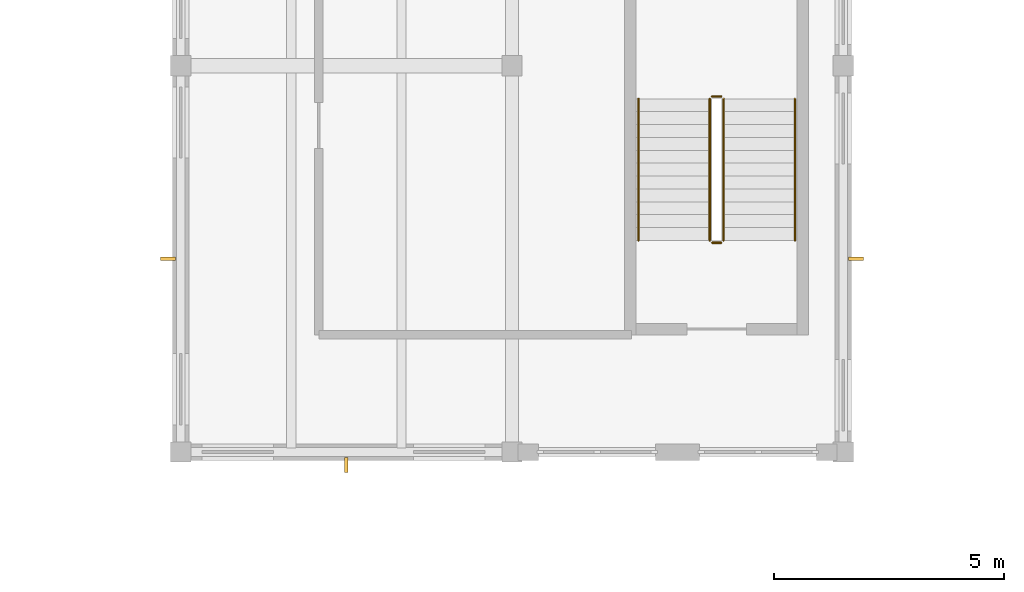
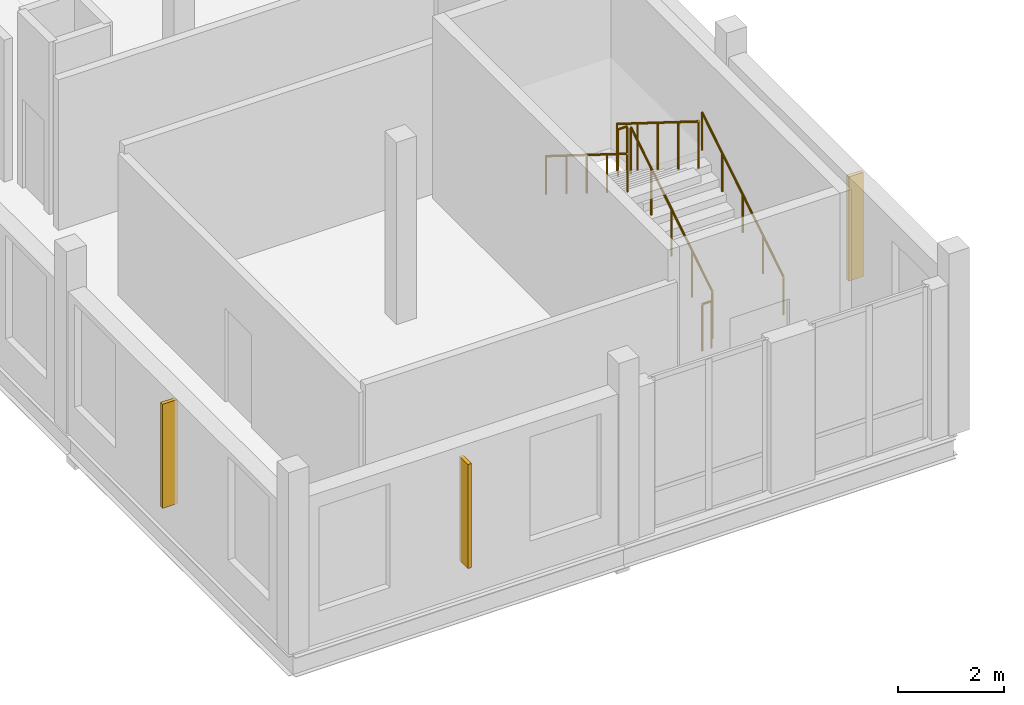
# One storey, part 78 of 81: 6 railings, 3 shading devices.
"""IFC4 building model written with IfcOpenShell, lengths in metres."""

from ifc_helpers import new_model, si_unit, direction, frame, origin, origin_2d, place, context, subcontext, project, spatial, rectangle, circle, extrude, material, type_object, element, save


model = new_model("IFC4")

# Units and contexts
model_context = context("Model", 3, precision=1e-05, world=origin(), true_north=direction((0.0, 1.0)))
body_context = subcontext(model_context, "Body", "Model", "MODEL_VIEW")
ifc_project = project(units=[si_unit("LENGTHUNIT", "METRE"), si_unit("AREAUNIT", "SQUARE_METRE"), si_unit("VOLUMEUNIT", "CUBIC_METRE"), si_unit("PLANEANGLEUNIT", "RADIAN"), si_unit("MASSUNIT", "GRAM", prefix="KILO")], contexts=[model_context])

# Site, building, storey
site_placement = place(None, origin())
site = spatial("IfcSite", under=ifc_project, at=site_placement, CompositionType="ELEMENT")
building_placement = place(site_placement, origin())
building = spatial("IfcBuilding", under=site, at=building_placement, Name="Kahlenmark Community Centre", CompositionType="ELEMENT")
storey_placement = place(building_placement, frame((0.0, 0.0, 9.60009765625)))
storey = spatial("IfcBuildingStorey", under=building, at=storey_placement, Name="L02", CompositionType="ELEMENT", Elevation=9.60009765625)

# Railings
ifc_material_1 = material(Name="Brushed stainless steel 1.4301 handrail", Category="steel")
railing_type_1 = type_object("IfcRailingType", Name="RLT-HR-900", PredefinedType="HANDRAIL", material=ifc_material_1)
railing_1_placement = place(storey_placement, frame((85.75, 55.39990234375, 0.1748046875)))
element("IfcRailing", 1, at=railing_1_placement, inside=storey, type_object=railing_type_1, Name="L02 ST-06 stair handrail 1", PredefinedType="HANDRAIL", context=body_context, shape_type="SweptSolid", body=[
    extrude(circle(Radius=0.02392578125, at=origin_2d()), frame((0.0, 0.0, 0.8759765625), z_axis=(0.0, 0.847998304005, 0.529998940003), x_axis=(-1.0, 0.0, 0.0)), (0.0, 0.0, 1.0), 3.632080078125),
    extrude(circle(Radius=0.02099609375, at=origin_2d()), origin(), (0.0, 0.0, 1.0), 0.851806640625),
    extrude(circle(Radius=0.02099609375, at=origin_2d()), frame((0.0, 0.77001953125, 0.481201171875)), (0.0, 0.0, 1.0), 0.851806640625),
    extrude(circle(Radius=0.02099609375, at=origin_2d()), frame((0.0, 1.5400390625, 0.96240234375)), (0.0, 0.0, 1.0), 0.851806640625),
    extrude(circle(Radius=0.02099609375, at=origin_2d()), frame((0.0, 2.31005859375, 1.44384765625)), (0.0, 0.0, 1.0), 0.851806640625),
    extrude(circle(Radius=0.02099609375, at=origin_2d()), frame((0.0, 3.080078125, 1.925048828125)), (0.0, 0.0, 1.0), 0.851806640625),
])
railing_2_placement = place(storey_placement, frame((82.35009765625, 58.47998046875, 2.27490234375)))
element("IfcRailing", 2, at=railing_2_placement, inside=storey, type_object=railing_type_1, Name="L02 ST-06 stair handrail 2", PredefinedType="HANDRAIL", context=body_context, shape_type="SweptSolid", body=[
    extrude(circle(Radius=0.02392578125, at=origin_2d()), frame((0.0, 0.0, 0.8759765625), z_axis=(0.0, -0.847998304005, 0.529998940003), x_axis=(1.0, 0.0, 0.0)), (0.0, 0.0, 1.0), 3.632080078125),
    extrude(circle(Radius=0.02099609375, at=origin_2d()), origin(), (0.0, 0.0, 1.0), 0.851806640625),
    extrude(circle(Radius=0.02099609375, at=origin_2d()), frame((0.0, -0.77001953125, 0.481201171875)), (0.0, 0.0, 1.0), 0.851806640625),
    extrude(circle(Radius=0.02099609375, at=origin_2d()), frame((0.0, -1.5400390625, 0.96240234375)), (0.0, 0.0, 1.0), 0.851806640625),
    extrude(circle(Radius=0.02099609375, at=origin_2d()), frame((0.0, -2.31005859375, 1.44384765625)), (0.0, 0.0, 1.0), 0.851806640625),
    extrude(circle(Radius=0.02099609375, at=origin_2d()), frame((0.0, -3.080078125, 1.925048828125)), (0.0, 0.0, 1.0), 0.851806640625),
])
ifc_material_2 = material(Name="Powder-coated steel stair well guard", Category="steel")
railing_type_2 = type_object("IfcRailingType", Name="RLT-SG-1120", PredefinedType="GUARDRAIL", material=ifc_material_2)
railing_3_placement = place(storey_placement, frame((84.199951171875, 55.39990234375, 0.1748046875)))
element("IfcRailing", 3, at=railing_3_placement, inside=storey, type_object=railing_type_2, Name="L02 ST-06 stair guard 1", PredefinedType="GUARDRAIL", context=body_context, shape_type="SweptSolid", body=[
    extrude(circle(Radius=0.02392578125, at=origin_2d()), frame((0.0, 0.0, 1.076171875), z_axis=(0.0, 0.847998304005, 0.529998940003), x_axis=(-1.0, 0.0, 0.0)), (0.0, 0.0, 1.0), 3.632080078125),
    extrude(circle(Radius=0.02099609375, at=origin_2d()), origin(), (0.0, 0.0, 1.0), 1.052001953125),
    extrude(circle(Radius=0.02099609375, at=origin_2d()), frame((0.0, 0.77001953125, 0.481201171875)), (0.0, 0.0, 1.0), 1.052001953125),
    extrude(circle(Radius=0.02099609375, at=origin_2d()), frame((0.0, 1.5400390625, 0.96240234375)), (0.0, 0.0, 1.0), 1.052001953125),
    extrude(circle(Radius=0.02099609375, at=origin_2d()), frame((0.0, 2.31005859375, 1.44384765625)), (0.0, 0.0, 1.0), 1.052001953125),
    extrude(circle(Radius=0.02099609375, at=origin_2d()), frame((0.0, 3.080078125, 1.925048828125)), (0.0, 0.0, 1.0), 1.052001953125),
])
railing_4_placement = place(storey_placement, frame((84.14990234375, 58.530029296875, 2.099853515625)))
element("IfcRailing", 4, at=railing_4_placement, inside=storey, type_object=railing_type_2, Name="L02 ST-06 stair guard 2", PredefinedType="GUARDRAIL", context=body_context, shape_type="SweptSolid", body=[
    extrude(circle(Radius=0.02392578125, at=origin_2d()), frame((0.0, 0.0, 1.076171875), z_axis=(-1.0, 0.0, 0.0), x_axis=(0.0, -1.0, 0.0)), (0.0, 0.0, 1.0), 0.199951171875),
    extrude(circle(Radius=0.02099609375, at=origin_2d()), origin(), (0.0, 0.0, 1.0), 1.052001953125),
    extrude(circle(Radius=0.02099609375, at=origin_2d()), frame((-0.199951171875, 0.0, 0.0)), (0.0, 0.0, 1.0), 1.052001953125),
])
railing_5_placement = place(storey_placement, frame((83.89990234375, 58.47998046875, 2.27490234375)))
element("IfcRailing", 5, at=railing_5_placement, inside=storey, type_object=railing_type_2, Name="L02 ST-06 stair guard 3", PredefinedType="GUARDRAIL", context=body_context, shape_type="SweptSolid", body=[
    extrude(circle(Radius=0.02392578125, at=origin_2d()), frame((0.0, 0.0, 1.076171875), z_axis=(0.0, -0.847998304005, 0.529998940003), x_axis=(1.0, 0.0, 0.0)), (0.0, 0.0, 1.0), 3.632080078125),
    extrude(circle(Radius=0.02099609375, at=origin_2d()), origin(), (0.0, 0.0, 1.0), 1.052001953125),
    extrude(circle(Radius=0.02099609375, at=origin_2d()), frame((0.0, -0.77001953125, 0.481201171875)), (0.0, 0.0, 1.0), 1.052001953125),
    extrude(circle(Radius=0.02099609375, at=origin_2d()), frame((0.0, -1.5400390625, 0.96240234375)), (0.0, 0.0, 1.0), 1.052001953125),
    extrude(circle(Radius=0.02099609375, at=origin_2d()), frame((0.0, -2.31005859375, 1.44384765625)), (0.0, 0.0, 1.0), 1.052001953125),
    extrude(circle(Radius=0.02099609375, at=origin_2d()), frame((0.0, -3.080078125, 1.925048828125)), (0.0, 0.0, 1.0), 1.052001953125),
])
railing_6_placement = place(storey_placement, frame((84.14990234375, 55.35009765625, 0.0)))
element("IfcRailing", 6, at=railing_6_placement, inside=storey, type_object=railing_type_2, Name="L02 ST-06 stair guard 4", PredefinedType="GUARDRAIL", context=body_context, shape_type="SweptSolid", body=[
    extrude(circle(Radius=0.02392578125, at=origin_2d()), frame((0.0, 0.0, 1.076171875), z_axis=(-1.0, 0.0, 0.0), x_axis=(0.0, -1.0, 0.0)), (0.0, 0.0, 1.0), 0.199951171875),
    extrude(circle(Radius=0.02099609375, at=origin_2d()), origin(), (0.0, 0.0, 1.0), 1.052001953125),
    extrude(circle(Radius=0.02099609375, at=origin_2d()), frame((-0.199951171875, 0.0, 0.0)), (0.0, 0.0, 1.0), 1.052001953125),
])

# Shading devices
ifc_material_3 = material(Name="Extruded warm terracotta solar fin", Category="masonry")
shading_device_type = type_object("IfcShadingDeviceType", Name="SDT-FIN-320", PredefinedType="NOTDEFINED", material=ifc_material_3)
for number, where, z_axis, x_axis, name in (
    (7, (76.0, 50.52001953125, 0.800048828125), (0.0, 0.0, 1.0), (1.0, 0.0, 0.0), "Terracotta solar fin 0005"),
    (8, (72.1201171875, 55.0, 0.800048828125), (0.0, 0.0, 1.0), (0.0, -1.0, 0.0), "Terracotta solar fin 0006"),
    (9, (87.080078125, 55.0, 0.800048828125), (0.0, 0.0, 1.0), (0.0, 1.0, 0.0), "Terracotta solar fin 0007"),
):
    element("IfcShadingDevice", number, at=place(storey_placement, frame(where, z_axis=z_axis, x_axis=x_axis)), inside=storey, type_object=shading_device_type, Name=name, PredefinedType="NOTDEFINED", context=body_context, shape_type="SweptSolid", body=[
        extrude(rectangle(XDim=0.080078125, YDim=0.320068359375, at=origin_2d()), origin(), (0.0, 0.0, 1.0), 2.39990234375),
    ])

save(model, "model.ifc")
